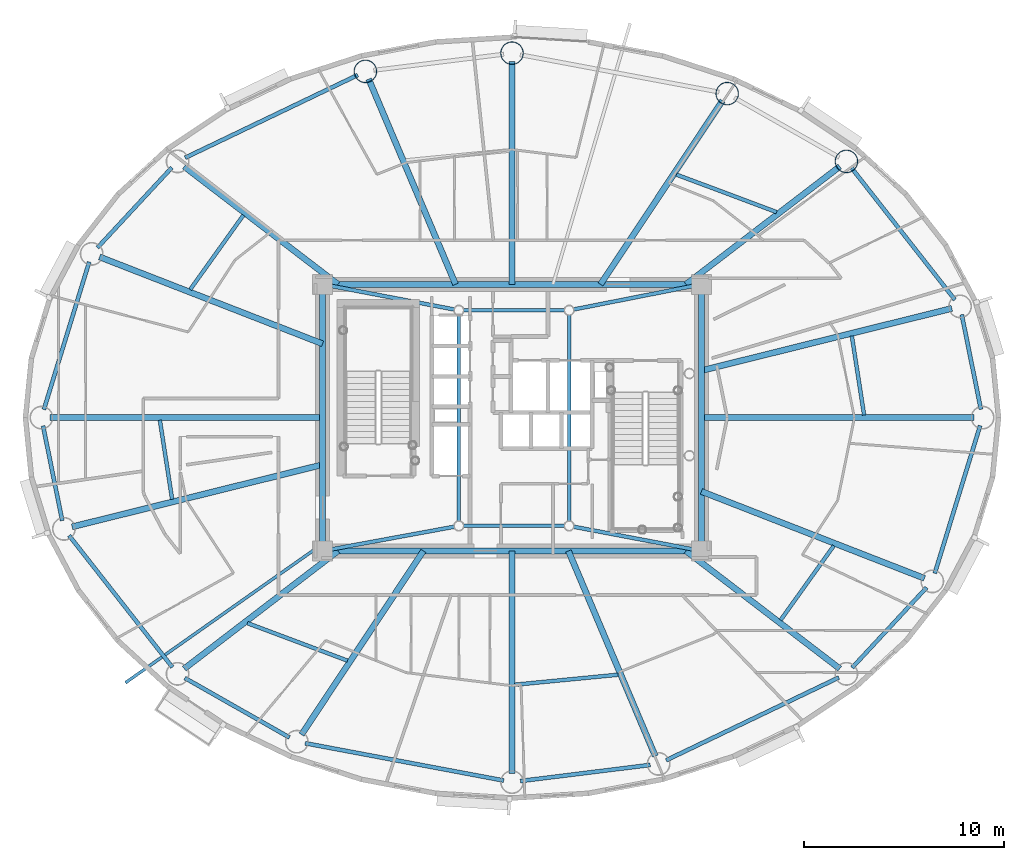
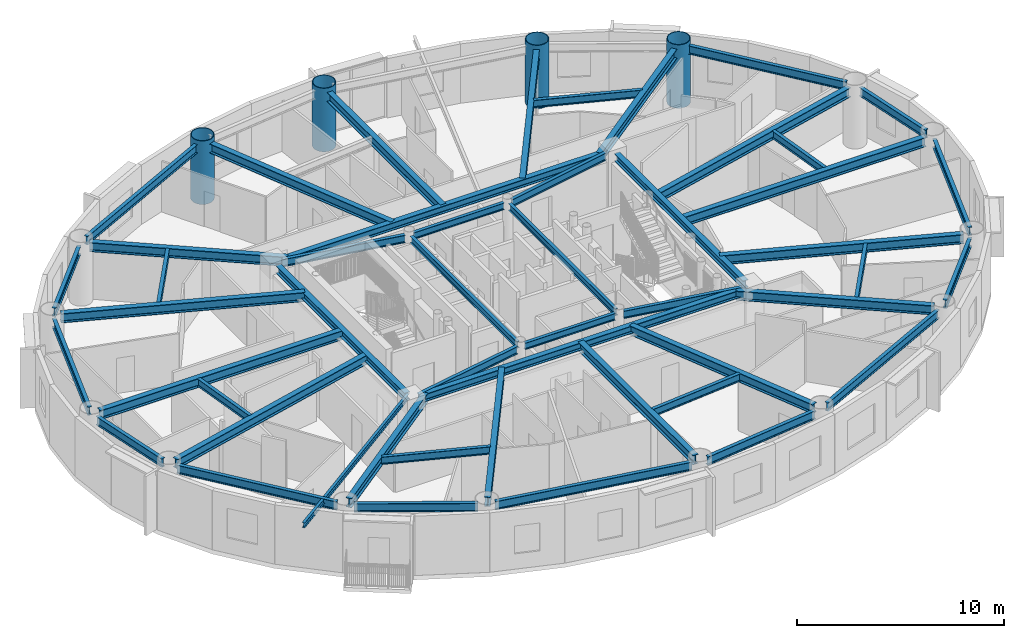
# One storey, part 3 of 19: 49 beams, 4 columns.
"""IFC4 building model written with IfcOpenShell, lengths in metres."""

from ifc_helpers import new_model, si_unit, direction, frame, origin, origin_2d, place, context, subcontext, project, spatial, hollow_circle, i_section, extrude, material, material_profile, profile_set, type_object, element, save


model = new_model("IFC4")

# Units and contexts
model_context = context("Model", 3, precision=1e-05, world=origin(), true_north=direction((0.0, 1.0)))
body_context = subcontext(model_context, "Body", "Model", "MODEL_VIEW")
ifc_project = project(units=[si_unit("LENGTHUNIT", "METRE"), si_unit("AREAUNIT", "SQUARE_METRE"), si_unit("VOLUMEUNIT", "CUBIC_METRE"), si_unit("PLANEANGLEUNIT", "RADIAN"), si_unit("MASSUNIT", "GRAM", prefix="KILO")], contexts=[model_context])

# Site, building, storey
site_placement = place(None, origin())
site = spatial("IfcSite", under=ifc_project, at=site_placement, CompositionType="ELEMENT")
building_placement = place(site_placement, origin())
building = spatial("IfcBuilding", under=site, at=building_placement, Name="Linh Dai School and Residence Tower", CompositionType="ELEMENT")
storey_placement = place(building_placement, frame((0.0, 0.0, 236.550048828125)))
storey = spatial("IfcBuildingStorey", under=building, at=storey_placement, Name="L58", CompositionType="ELEMENT", Elevation=236.550048828125)

# Columns
ifc_material = material(Name="Structural Steel S355JR", Category="steel")
ifc_material_profile_1 = material_profile(ifc_material, hollow_circle(Radius=0.574951171875, WallThickness=0.035888671875, at=origin_2d()), Name="CHS 1150x36")
ifc_profile_set_1 = profile_set([ifc_material_profile_1], Name="Structural Steel S355JR")
column_type = type_object("IfcColumnType", Name="COL-MC5", PredefinedType="COLUMN", material=ifc_profile_set_1)
for number, where, z_axis, x_axis, name in (
    (1, (52.68310546875, 39.781005859375, 0.0), (0.0, 0.0, 1.0), (1.0, 0.0, 0.0), "L58 Perimeter CFT Mega-Column MC03"),
    (2, (46.734619140625, 43.16357421875, 0.0), (0.0, 0.0, 1.0), (1.0, 0.0, 0.0), "L58 Perimeter CFT Mega-Column MC04"),
    (3, (36.0, 45.179931640625, 0.0), (0.0, 0.0, 1.0), (1.0, 0.0, 0.0), "L58 Perimeter CFT Mega-Column MC05"),
    (4, (28.68798828125, 44.2734375, 0.0), (0.0, 0.0, 1.0), (1.0, 0.0, 0.0), "L58 Perimeter CFT Mega-Column MC06"),
):
    element("IfcColumn", number, at=place(storey_placement, frame(where, z_axis=z_axis, x_axis=x_axis)), inside=storey, type_object=column_type, Name=name, PredefinedType="COLUMN", context=body_context, shape_type="SweptSolid", body=[
        extrude(hollow_circle(Radius=0.574951171875, WallThickness=0.035888671875, at=origin_2d()), origin(), (0.0, 0.0, 1.0), 3.75),
    ])

# Beams
ifc_material_profile_2 = material_profile(ifc_material, i_section(OverallWidth=0.14990234375, OverallDepth=0.300048828125, WebThickness=0.007080078125, FlangeThickness=0.0107421875, at=origin_2d()), Name="IPE 300")
ifc_profile_set_2 = profile_set([ifc_material_profile_2], Name="Structural Steel S355JR")
beam_type_1 = type_object("IfcBeamType", Name="BM-BALC-CANT", PredefinedType="BEAM", material=ifc_profile_set_2)
beam_1_placement = place(storey_placement, frame((26.550048828125, 20.698486328125, 3.349853515625), z_axis=(-0.817596484683, -0.57579161876, 0.0), x_axis=(0.57579161876, -0.817596484683, 0.0)))
element("IfcBeam", 5, at=beam_1_placement, inside=storey, type_object=beam_type_1, Name="L59 Balcony Continuous Cantilever Beam 25", PredefinedType="BEAM", context=body_context, shape_type="SweptSolid", body=[
    extrude(i_section(OverallWidth=0.14990234375, OverallDepth=0.300048828125, WebThickness=0.007080078125, FlangeThickness=0.0107421875, at=origin_2d()), origin(), (0.0, 0.0, 1.0), 12.02392578125),
])
ifc_material_profile_3 = material_profile(ifc_material, i_section(OverallWidth=0.199951171875, OverallDepth=0.5, WebThickness=0.01025390625, FlangeThickness=0.01611328125, FilletRadius=0.02099609375, at=origin_2d()), Name="IPE 500")
ifc_profile_set_3 = profile_set([ifc_material_profile_3], Name="Structural Steel S355JR")
beam_type_2 = type_object("IfcBeamType", Name="BM-RB50", PredefinedType="BEAM", material=ifc_profile_set_3)
beam_2_placement = place(storey_placement, frame((59.3916015625, 27.41162109375, 3.25), z_axis=(-0.198423200906, 0.980116438666, 0.0), x_axis=(-0.980116438666, -0.198423200906, 0.0)))
element("IfcBeam", 6, at=beam_2_placement, inside=storey, type_object=beam_type_2, Name="L58 Perimeter Elliptical Ring Beam 01", PredefinedType="BEAM", context=body_context, shape_type="SweptSolid", body=[
    extrude(i_section(OverallWidth=0.199951171875, OverallDepth=0.5, WebThickness=0.01025390625, FlangeThickness=0.01611328125, FilletRadius=0.02099609375, at=origin_2d()), origin(), (0.0, 0.0, 1.0), 4.822021484375),
])
beam_3_placement = place(storey_placement, frame((58.09228515625, 32.8798828125, 3.25), z_axis=(-0.616900268003, 0.787041332674, 0.0), x_axis=(-0.787041332674, -0.616900268003, 0.0)))
element("IfcBeam", 7, at=beam_3_placement, inside=storey, type_object=beam_type_2, Name="L58 Perimeter Elliptical Ring Beam 02", PredefinedType="BEAM", context=body_context, shape_type="SweptSolid", body=[
    extrude(i_section(OverallWidth=0.199951171875, OverallDepth=0.5, WebThickness=0.01025390625, FlangeThickness=0.01611328125, FilletRadius=0.02099609375, at=origin_2d()), origin(), (0.0, 0.0, 1.0), 8.348388671875),
])
beam_4_placement = place(storey_placement, frame((28.309326171875, 44.092041015625, 3.25), z_axis=(-0.901735920201, -0.432287323686, 0.0), x_axis=(0.432287323686, -0.901735920201, 0.0)))
element("IfcBeam", 8, at=beam_4_placement, inside=storey, type_object=beam_type_2, Name="L58 Perimeter Elliptical Ring Beam 06", PredefinedType="BEAM", context=body_context, shape_type="SweptSolid", body=[
    extrude(i_section(OverallWidth=0.199951171875, OverallDepth=0.5, WebThickness=0.01025390625, FlangeThickness=0.01611328125, FilletRadius=0.02099609375, at=origin_2d()), origin(), (0.0, 0.0, 1.0), 9.552490234375),
])
beam_5_placement = place(storey_placement, frame((19.031005859375, 39.47314453125, 3.25), z_axis=(-0.68040816846, -0.732833353699, 0.0), x_axis=(0.732833353699, -0.68040816846, 0.0)))
element("IfcBeam", 9, at=beam_5_placement, inside=storey, type_object=beam_type_2, Name="L58 Perimeter Elliptical Ring Beam 07", PredefinedType="BEAM", context=body_context, shape_type="SweptSolid", body=[
    extrude(i_section(OverallWidth=0.199951171875, OverallDepth=0.5, WebThickness=0.01025390625, FlangeThickness=0.01611328125, FilletRadius=0.02099609375, at=origin_2d()), origin(), (0.0, 0.0, 1.0), 5.453369140625),
])
beam_6_placement = place(storey_placement, frame((14.911376953125, 34.767578125, 3.25), z_axis=(-0.293660595717, -0.95590975229, 0.0), x_axis=(0.95590975229, -0.293660595717, 0.0)))
element("IfcBeam", 10, at=beam_6_placement, inside=storey, type_object=beam_type_2, Name="L58 Perimeter Elliptical Ring Beam 08", PredefinedType="BEAM", context=body_context, shape_type="SweptSolid", body=[
    extrude(i_section(OverallWidth=0.199951171875, OverallDepth=0.5, WebThickness=0.01025390625, FlangeThickness=0.01611328125, FilletRadius=0.02099609375, at=origin_2d()), origin(), (0.0, 0.0, 1.0), 7.7060546875),
])
beam_7_placement = place(storey_placement, frame((12.6083984375, 26.58837890625, 3.25), z_axis=(0.198423200906, -0.980116438666, 0.0), x_axis=(0.980116438666, 0.198423200906, 0.0)))
element("IfcBeam", 11, at=beam_7_placement, inside=storey, type_object=beam_type_2, Name="L58 Perimeter Elliptical Ring Beam 09", PredefinedType="BEAM", context=body_context, shape_type="SweptSolid", body=[
    extrude(i_section(OverallWidth=0.199951171875, OverallDepth=0.5, WebThickness=0.01025390625, FlangeThickness=0.01611328125, FilletRadius=0.02099609375, at=origin_2d()), origin(), (0.0, 0.0, 1.0), 4.822021484375),
])
beam_8_placement = place(storey_placement, frame((13.90771484375, 21.1201171875, 3.25), z_axis=(0.616900268003, -0.787041332674, 0.0), x_axis=(0.787041332674, 0.616900268003, 0.0)))
element("IfcBeam", 12, at=beam_8_placement, inside=storey, type_object=beam_type_2, Name="L58 Perimeter Elliptical Ring Beam 10", PredefinedType="BEAM", context=body_context, shape_type="SweptSolid", body=[
    extrude(i_section(OverallWidth=0.199951171875, OverallDepth=0.5, WebThickness=0.01025390625, FlangeThickness=0.01611328125, FilletRadius=0.02099609375, at=origin_2d()), origin(), (0.0, 0.0, 1.0), 8.348388671875),
])
beam_9_placement = place(storey_placement, frame((19.681884765625, 14.011474609375, 3.25), z_axis=(0.869297314463, -0.494289570058, 0.0), x_axis=(0.494289570058, 0.869297314463, 0.0)))
element("IfcBeam", 13, at=beam_9_placement, inside=storey, type_object=beam_type_2, Name="L58 Perimeter Elliptical Ring Beam 11", PredefinedType="BEAM", context=body_context, shape_type="SweptSolid", body=[
    extrude(i_section(OverallWidth=0.199951171875, OverallDepth=0.5, WebThickness=0.01025390625, FlangeThickness=0.01611328125, FilletRadius=0.02099609375, at=origin_2d()), origin(), (0.0, 0.0, 1.0), 6.003173828125),
])
beam_10_placement = place(storey_placement, frame((25.67822265625, 10.759033203125, 3.25), z_axis=(0.982806607762, -0.184637947722, 0.0), x_axis=(0.184637947722, 0.982806607762, 0.0)))
element("IfcBeam", 14, at=beam_10_placement, inside=storey, type_object=beam_type_2, Name="L58 Perimeter Elliptical Ring Beam 12", PredefinedType="BEAM", context=body_context, shape_type="SweptSolid", body=[
    extrude(i_section(OverallWidth=0.199951171875, OverallDepth=0.5, WebThickness=0.01025390625, FlangeThickness=0.01611328125, FilletRadius=0.02099609375, at=origin_2d()), origin(), (0.0, 0.0, 1.0), 10.082275390625),
])
beam_11_placement = place(storey_placement, frame((36.416748046875, 8.87158203125, 3.25), z_axis=(0.992401656104, 0.123040452539, 0.0), x_axis=(-0.123040452539, 0.992401656104, 0.0)))
element("IfcBeam", 15, at=beam_11_placement, inside=storey, type_object=beam_type_2, Name="L58 Perimeter Elliptical Ring Beam 13", PredefinedType="BEAM", context=body_context, shape_type="SweptSolid", body=[
    extrude(i_section(OverallWidth=0.199951171875, OverallDepth=0.5, WebThickness=0.01025390625, FlangeThickness=0.01611328125, FilletRadius=0.02099609375, at=origin_2d()), origin(), (0.0, 0.0, 1.0), 6.528076171875),
])
beam_12_placement = place(storey_placement, frame((43.690673828125, 9.907958984375, 3.25), z_axis=(0.901735920201, 0.432287323686, 0.0), x_axis=(-0.432287323686, 0.901735920201, 0.0)))
element("IfcBeam", 16, at=beam_12_placement, inside=storey, type_object=beam_type_2, Name="L58 Perimeter Elliptical Ring Beam 14", PredefinedType="BEAM", context=body_context, shape_type="SweptSolid", body=[
    extrude(i_section(OverallWidth=0.199951171875, OverallDepth=0.5, WebThickness=0.01025390625, FlangeThickness=0.01611328125, FilletRadius=0.02099609375, at=origin_2d()), origin(), (0.0, 0.0, 1.0), 9.552490234375),
])
beam_13_placement = place(storey_placement, frame((52.968994140625, 14.52685546875, 3.25), z_axis=(0.68040816846, 0.732833353699, 0.0), x_axis=(-0.732833353699, 0.68040816846, 0.0)))
element("IfcBeam", 17, at=beam_13_placement, inside=storey, type_object=beam_type_2, Name="L58 Perimeter Elliptical Ring Beam 15", PredefinedType="BEAM", context=body_context, shape_type="SweptSolid", body=[
    extrude(i_section(OverallWidth=0.199951171875, OverallDepth=0.5, WebThickness=0.01025390625, FlangeThickness=0.01611328125, FilletRadius=0.02099609375, at=origin_2d()), origin(), (0.0, 0.0, 1.0), 5.453369140625),
])
beam_14_placement = place(storey_placement, frame((57.088623046875, 19.232421875, 3.25), z_axis=(0.293660595717, 0.95590975229, 0.0), x_axis=(-0.95590975229, 0.293660595717, 0.0)))
element("IfcBeam", 18, at=beam_14_placement, inside=storey, type_object=beam_type_2, Name="L58 Perimeter Elliptical Ring Beam 16", PredefinedType="BEAM", context=body_context, shape_type="SweptSolid", body=[
    extrude(i_section(OverallWidth=0.199951171875, OverallDepth=0.5, WebThickness=0.01025390625, FlangeThickness=0.01611328125, FilletRadius=0.02099609375, at=origin_2d()), origin(), (0.0, 0.0, 1.0), 7.7060546875),
])
ifc_material_profile_4 = material_profile(ifc_material, i_section(OverallWidth=0.300048828125, OverallDepth=0.449951171875, WebThickness=0.013916015625, FlangeThickness=0.02587890625, FilletRadius=0.027099609375, at=origin_2d()), Name="HEB 450")
ifc_profile_set_4 = profile_set([ifc_material_profile_4], Name="Structural Steel S355JR")
beam_type_3 = type_object("IfcBeamType", Name="BM-RG45", PredefinedType="BEAM", material=ifc_profile_set_4)
beam_15_placement = place(storey_placement, frame((26.969970703125, 20.35009765625, 3.27490234375), z_axis=(1.0, 0.0, 0.0), x_axis=(0.0, 1.0, 0.0)))
element("IfcBeam", 19, at=beam_15_placement, inside=storey, type_object=beam_type_3, Name="L58 Core Perimeter Coupling Girder 1", PredefinedType="BEAM", context=body_context, shape_type="SweptSolid", body=[
    extrude(i_section(OverallWidth=0.300048828125, OverallDepth=0.449951171875, WebThickness=0.013916015625, FlangeThickness=0.02587890625, FilletRadius=0.027099609375, at=origin_2d()), origin(), (0.0, 0.0, 1.0), 18.06005859375),
])
beam_16_placement = place(storey_placement, frame((45.449951171875, 20.77001953125, 3.27490234375), z_axis=(0.0, 1.0, 0.0), x_axis=(-1.0, 0.0, 0.0)))
element("IfcBeam", 20, at=beam_16_placement, inside=storey, type_object=beam_type_3, Name="L58 Core Perimeter Coupling Girder 2", PredefinedType="BEAM", context=body_context, shape_type="SweptSolid", body=[
    extrude(i_section(OverallWidth=0.300048828125, OverallDepth=0.449951171875, WebThickness=0.013916015625, FlangeThickness=0.02587890625, FilletRadius=0.027099609375, at=origin_2d()), origin(), (0.0, 0.0, 1.0), 12.4599609375),
])
beam_17_placement = place(storey_placement, frame((45.030029296875, 33.64990234375, 3.27490234375), z_axis=(-1.0, 0.0, 0.0), x_axis=(0.0, -1.0, 0.0)))
element("IfcBeam", 21, at=beam_17_placement, inside=storey, type_object=beam_type_3, Name="L58 Core Perimeter Coupling Girder 3", PredefinedType="BEAM", context=body_context, shape_type="SweptSolid", body=[
    extrude(i_section(OverallWidth=0.300048828125, OverallDepth=0.449951171875, WebThickness=0.013916015625, FlangeThickness=0.02587890625, FilletRadius=0.027099609375, at=origin_2d()), origin(), (0.0, 0.0, 1.0), 18.06005859375),
])
beam_18_placement = place(storey_placement, frame((26.550048828125, 33.22998046875, 3.27490234375), z_axis=(0.0, -1.0, 0.0), x_axis=(1.0, 0.0, 0.0)))
element("IfcBeam", 22, at=beam_18_placement, inside=storey, type_object=beam_type_3, Name="L58 Core Perimeter Coupling Girder 4", PredefinedType="BEAM", context=body_context, shape_type="SweptSolid", body=[
    extrude(i_section(OverallWidth=0.300048828125, OverallDepth=0.449951171875, WebThickness=0.013916015625, FlangeThickness=0.02587890625, FilletRadius=0.027099609375, at=origin_2d()), origin(), (0.0, 0.0, 1.0), 12.4599609375),
])
ifc_material_profile_5 = material_profile(ifc_material, i_section(OverallWidth=0.300048828125, OverallDepth=0.550048828125, WebThickness=0.014892578125, FlangeThickness=0.029052734375, FilletRadius=0.027099609375, at=origin_2d()), Name="HEB 550")
ifc_profile_set_5 = profile_set([ifc_material_profile_5], Name="Structural Steel S355JR")
beam_type_4 = type_object("IfcBeamType", Name="BM-RG55", PredefinedType="BEAM", material=ifc_profile_set_5)
beam_19_placement = place(storey_placement, frame((45.449951171875, 27.0, 3.224853515625), z_axis=(1.0, 0.0, 0.0), x_axis=(0.0, 1.0, 0.0)))
element("IfcBeam", 23, at=beam_19_placement, inside=storey, type_object=beam_type_4, Name="L58 Primary Radial Floor Girder 01", PredefinedType="BEAM", context=body_context, shape_type="SweptSolid", body=[
    extrude(i_section(OverallWidth=0.300048828125, OverallDepth=0.550048828125, WebThickness=0.014892578125, FlangeThickness=0.029052734375, FilletRadius=0.027099609375, at=origin_2d()), origin(), (0.0, 0.0, 1.0), 13.60498046875),
])
beam_20_placement = place(storey_placement, frame((45.449951171875, 29.34619140625, 3.224853515625), z_axis=(0.970537241974, 0.240951160904, 0.0), x_axis=(-0.240951160904, 0.970537241974, 0.0)))
element("IfcBeam", 24, at=beam_20_placement, inside=storey, type_object=beam_type_4, Name="L58 Primary Radial Floor Girder 02", PredefinedType="BEAM", context=body_context, shape_type="SweptSolid", body=[
    extrude(i_section(OverallWidth=0.300048828125, OverallDepth=0.550048828125, WebThickness=0.014892578125, FlangeThickness=0.029052734375, FilletRadius=0.027099609375, at=origin_2d()), origin(), (0.0, 0.0, 1.0), 12.873291015625),
])
beam_21_placement = place(storey_placement, frame((44.680419921875, 33.64990234375, 3.224853515625), z_axis=(0.793814553483, 0.608159892363, 0.0), x_axis=(-0.608159892363, 0.793814553483, 0.0)))
element("IfcBeam", 25, at=beam_21_placement, inside=storey, type_object=beam_type_4, Name="L58 Primary Radial Floor Girder 03", PredefinedType="BEAM", context=body_context, shape_type="SweptSolid", body=[
    extrude(i_section(OverallWidth=0.300048828125, OverallDepth=0.550048828125, WebThickness=0.014892578125, FlangeThickness=0.029052734375, FilletRadius=0.027099609375, at=origin_2d()), origin(), (0.0, 0.0, 1.0), 9.661376953125),
])
beam_22_placement = place(storey_placement, frame((40.41650390625, 33.64990234375, 3.224853515625), z_axis=(0.553219177991, 0.833035738191, 0.0), x_axis=(-0.833035738191, 0.553219177991, 0.0)))
element("IfcBeam", 26, at=beam_22_placement, inside=storey, type_object=beam_type_4, Name="L58 Primary Radial Floor Girder 04", PredefinedType="BEAM", context=body_context, shape_type="SweptSolid", body=[
    extrude(i_section(OverallWidth=0.300048828125, OverallDepth=0.550048828125, WebThickness=0.014892578125, FlangeThickness=0.029052734375, FilletRadius=0.027099609375, at=origin_2d()), origin(), (0.0, 0.0, 1.0), 11.00048828125),
])
beam_23_placement = place(storey_placement, frame((36.0, 33.64990234375, 3.224853515625), z_axis=(0.0, 1.0, 0.0), x_axis=(-1.0, 0.0, 0.0)))
element("IfcBeam", 27, at=beam_23_placement, inside=storey, type_object=beam_type_4, Name="L58 Primary Radial Floor Girder 05", PredefinedType="BEAM", context=body_context, shape_type="SweptSolid", body=[
    extrude(i_section(OverallWidth=0.300048828125, OverallDepth=0.550048828125, WebThickness=0.014892578125, FlangeThickness=0.029052734375, FilletRadius=0.027099609375, at=origin_2d()), origin(), (0.0, 0.0, 1.0), 11.110107421875),
])
beam_24_placement = place(storey_placement, frame((33.18505859375, 33.64990234375, 3.224853515625), z_axis=(-0.389814803082, 0.920893272479, 0.0), x_axis=(-0.920893272479, -0.389814803082, 0.0)))
element("IfcBeam", 28, at=beam_24_placement, inside=storey, type_object=beam_type_4, Name="L58 Primary Radial Floor Girder 06", PredefinedType="BEAM", context=body_context, shape_type="SweptSolid", body=[
    extrude(i_section(OverallWidth=0.300048828125, OverallDepth=0.550048828125, WebThickness=0.014892578125, FlangeThickness=0.029052734375, FilletRadius=0.027099609375, at=origin_2d()), origin(), (0.0, 0.0, 1.0), 11.1162109375),
])
beam_25_placement = place(storey_placement, frame((27.319580078125, 33.64990234375, 3.224853515625), z_axis=(-0.793814553483, 0.608159892363, 0.0), x_axis=(-0.608159892363, -0.793814553483, 0.0)))
element("IfcBeam", 29, at=beam_25_placement, inside=storey, type_object=beam_type_4, Name="L58 Primary Radial Floor Girder 07", PredefinedType="BEAM", context=body_context, shape_type="SweptSolid", body=[
    extrude(i_section(OverallWidth=0.300048828125, OverallDepth=0.550048828125, WebThickness=0.014892578125, FlangeThickness=0.029052734375, FilletRadius=0.027099609375, at=origin_2d()), origin(), (0.0, 0.0, 1.0), 9.661376953125),
])
beam_26_placement = place(storey_placement, frame((26.550048828125, 30.68212890625, 3.224853515625), z_axis=(-0.931764994123, 0.363061972295, 0.0), x_axis=(-0.363061972295, -0.931764994123, 0.0)))
element("IfcBeam", 30, at=beam_26_placement, inside=storey, type_object=beam_type_4, Name="L58 Primary Radial Floor Girder 08", PredefinedType="BEAM", context=body_context, shape_type="SweptSolid", body=[
    extrude(i_section(OverallWidth=0.300048828125, OverallDepth=0.550048828125, WebThickness=0.014892578125, FlangeThickness=0.029052734375, FilletRadius=0.027099609375, at=origin_2d()), origin(), (0.0, 0.0, 1.0), 11.938720703125),
])
beam_27_placement = place(storey_placement, frame((26.550048828125, 27.0, 3.224853515625), z_axis=(-1.0, 0.0, 0.0), x_axis=(0.0, -1.0, 0.0)))
element("IfcBeam", 31, at=beam_27_placement, inside=storey, type_object=beam_type_4, Name="L58 Primary Radial Floor Girder 09", PredefinedType="BEAM", context=body_context, shape_type="SweptSolid", body=[
    extrude(i_section(OverallWidth=0.300048828125, OverallDepth=0.550048828125, WebThickness=0.014892578125, FlangeThickness=0.029052734375, FilletRadius=0.027099609375, at=origin_2d()), origin(), (0.0, 0.0, 1.0), 13.60498046875),
])
beam_28_placement = place(storey_placement, frame((26.550048828125, 24.65380859375, 3.224853515625), z_axis=(-0.970537241974, -0.240951160904, 0.0), x_axis=(0.240951160904, -0.970537241974, 0.0)))
element("IfcBeam", 32, at=beam_28_placement, inside=storey, type_object=beam_type_4, Name="L58 Primary Radial Floor Girder 10", PredefinedType="BEAM", context=body_context, shape_type="SweptSolid", body=[
    extrude(i_section(OverallWidth=0.300048828125, OverallDepth=0.550048828125, WebThickness=0.014892578125, FlangeThickness=0.029052734375, FilletRadius=0.027099609375, at=origin_2d()), origin(), (0.0, 0.0, 1.0), 12.873291015625),
])
beam_29_placement = place(storey_placement, frame((27.319580078125, 20.35009765625, 3.224853515625), z_axis=(-0.793814553483, -0.608159892363, 0.0), x_axis=(0.608159892363, -0.793814553483, 0.0)))
element("IfcBeam", 33, at=beam_29_placement, inside=storey, type_object=beam_type_4, Name="L58 Primary Radial Floor Girder 11", PredefinedType="BEAM", context=body_context, shape_type="SweptSolid", body=[
    extrude(i_section(OverallWidth=0.300048828125, OverallDepth=0.550048828125, WebThickness=0.014892578125, FlangeThickness=0.029052734375, FilletRadius=0.027099609375, at=origin_2d()), origin(), (0.0, 0.0, 1.0), 9.661376953125),
])
beam_30_placement = place(storey_placement, frame((31.58349609375, 20.35009765625, 3.224853515625), z_axis=(-0.553219177991, -0.833035738191, 0.0), x_axis=(0.833035738191, -0.553219177991, 0.0)))
element("IfcBeam", 34, at=beam_30_placement, inside=storey, type_object=beam_type_4, Name="L58 Primary Radial Floor Girder 12", PredefinedType="BEAM", context=body_context, shape_type="SweptSolid", body=[
    extrude(i_section(OverallWidth=0.300048828125, OverallDepth=0.550048828125, WebThickness=0.014892578125, FlangeThickness=0.029052734375, FilletRadius=0.027099609375, at=origin_2d()), origin(), (0.0, 0.0, 1.0), 11.00048828125),
])
beam_31_placement = place(storey_placement, frame((36.0, 20.35009765625, 3.224853515625), z_axis=(0.0, -1.0, 0.0), x_axis=(1.0, 0.0, 0.0)))
element("IfcBeam", 35, at=beam_31_placement, inside=storey, type_object=beam_type_4, Name="L58 Primary Radial Floor Girder 13", PredefinedType="BEAM", context=body_context, shape_type="SweptSolid", body=[
    extrude(i_section(OverallWidth=0.300048828125, OverallDepth=0.550048828125, WebThickness=0.014892578125, FlangeThickness=0.029052734375, FilletRadius=0.027099609375, at=origin_2d()), origin(), (0.0, 0.0, 1.0), 11.110107421875),
])
beam_32_placement = place(storey_placement, frame((38.81494140625, 20.35009765625, 3.224853515625), z_axis=(0.389814803082, -0.920893272479, 0.0), x_axis=(0.920893272479, 0.389814803082, 0.0)))
element("IfcBeam", 36, at=beam_32_placement, inside=storey, type_object=beam_type_4, Name="L58 Primary Radial Floor Girder 14", PredefinedType="BEAM", context=body_context, shape_type="SweptSolid", body=[
    extrude(i_section(OverallWidth=0.300048828125, OverallDepth=0.550048828125, WebThickness=0.014892578125, FlangeThickness=0.029052734375, FilletRadius=0.027099609375, at=origin_2d()), origin(), (0.0, 0.0, 1.0), 11.1162109375),
])
beam_33_placement = place(storey_placement, frame((44.680419921875, 20.35009765625, 3.224853515625), z_axis=(0.793814553483, -0.608159892363, 0.0), x_axis=(0.608159892363, 0.793814553483, 0.0)))
element("IfcBeam", 37, at=beam_33_placement, inside=storey, type_object=beam_type_4, Name="L58 Primary Radial Floor Girder 15", PredefinedType="BEAM", context=body_context, shape_type="SweptSolid", body=[
    extrude(i_section(OverallWidth=0.300048828125, OverallDepth=0.550048828125, WebThickness=0.014892578125, FlangeThickness=0.029052734375, FilletRadius=0.027099609375, at=origin_2d()), origin(), (0.0, 0.0, 1.0), 9.661376953125),
])
beam_34_placement = place(storey_placement, frame((45.449951171875, 23.31787109375, 3.224853515625), z_axis=(0.931764994123, -0.363061972295, 0.0), x_axis=(0.363061972295, 0.931764994123, 0.0)))
element("IfcBeam", 38, at=beam_34_placement, inside=storey, type_object=beam_type_4, Name="L58 Primary Radial Floor Girder 16", PredefinedType="BEAM", context=body_context, shape_type="SweptSolid", body=[
    extrude(i_section(OverallWidth=0.300048828125, OverallDepth=0.550048828125, WebThickness=0.014892578125, FlangeThickness=0.029052734375, FilletRadius=0.027099609375, at=origin_2d()), origin(), (0.0, 0.0, 1.0), 11.938720703125),
])
ifc_material_profile_6 = material_profile(ifc_material, i_section(OverallWidth=0.179931640625, OverallDepth=0.39990234375, WebThickness=0.008544921875, FlangeThickness=0.013427734375, FilletRadius=0.02099609375, at=origin_2d()), Name="IPE 400")
ifc_profile_set_6 = profile_set([ifc_material_profile_6], Name="Structural Steel S355JR")
beam_type_5 = type_object("IfcBeamType", Name="BM-SB40", PredefinedType="BEAM", material=ifc_profile_set_6)
beam_35_placement = place(storey_placement, frame((33.573974609375, 21.60009765625, 3.300048828125), z_axis=(1.0, 0.0, 0.0), x_axis=(0.0, 1.0, 0.0)))
element("IfcBeam", 39, at=beam_35_placement, inside=storey, type_object=beam_type_5, Name="L58 Core Mast Pier Tie Beam 1", PredefinedType="BEAM", context=body_context, shape_type="SweptSolid", body=[
    extrude(i_section(OverallWidth=0.179931640625, OverallDepth=0.39990234375, WebThickness=0.008544921875, FlangeThickness=0.013427734375, FilletRadius=0.02099609375, at=origin_2d()), origin(), (0.0, 0.0, 1.0), 5.052001953125),
])
beam_36_placement = place(storey_placement, frame((38.85009765625, 21.823974609375, 3.300048828125), z_axis=(0.0, 1.0, 0.0), x_axis=(-1.0, 0.0, 0.0)))
element("IfcBeam", 40, at=beam_36_placement, inside=storey, type_object=beam_type_5, Name="L58 Core Mast Pier Tie Beam 2", PredefinedType="BEAM", context=body_context, shape_type="SweptSolid", body=[
    extrude(i_section(OverallWidth=0.179931640625, OverallDepth=0.39990234375, WebThickness=0.008544921875, FlangeThickness=0.013427734375, FilletRadius=0.02099609375, at=origin_2d()), origin(), (0.0, 0.0, 1.0), 10.302001953125),
])
beam_37_placement = place(storey_placement, frame((38.6259765625, 32.35009765625, 3.300048828125), z_axis=(-1.0, 0.0, 0.0), x_axis=(0.0, -1.0, 0.0)))
element("IfcBeam", 41, at=beam_37_placement, inside=storey, type_object=beam_type_5, Name="L58 Core Mast Pier Tie Beam 3", PredefinedType="BEAM", context=body_context, shape_type="SweptSolid", body=[
    extrude(i_section(OverallWidth=0.179931640625, OverallDepth=0.39990234375, WebThickness=0.008544921875, FlangeThickness=0.013427734375, FilletRadius=0.02099609375, at=origin_2d()), origin(), (0.0, 0.0, 1.0), 5.052001953125),
])
beam_38_placement = place(storey_placement, frame((33.35009765625, 32.1259765625, 3.300048828125), z_axis=(0.0, -1.0, 0.0), x_axis=(1.0, 0.0, 0.0)))
element("IfcBeam", 42, at=beam_38_placement, inside=storey, type_object=beam_type_5, Name="L58 Core Mast Pier Tie Beam 4", PredefinedType="BEAM", context=body_context, shape_type="SweptSolid", body=[
    extrude(i_section(OverallWidth=0.179931640625, OverallDepth=0.39990234375, WebThickness=0.008544921875, FlangeThickness=0.013427734375, FilletRadius=0.02099609375, at=origin_2d()), origin(), (0.0, 0.0, 1.0), 10.302001953125),
])
ifc_material_profile_7 = material_profile(ifc_material, i_section(OverallWidth=0.18994140625, OverallDepth=0.449951171875, WebThickness=0.009521484375, FlangeThickness=0.0146484375, FilletRadius=0.02099609375, at=origin_2d()), Name="IPE 450")
ifc_profile_set_7 = profile_set([ifc_material_profile_7], Name="Structural Steel S355JR")
beam_type_6 = type_object("IfcBeamType", Name="BM-SB45", PredefinedType="BEAM", material=ifc_profile_set_7)
beam_39_placement = place(storey_placement, frame((26.963134765625, 20.426025390625, 3.27490234375), z_axis=(0.983521034508, 0.180793735182, 0.0), x_axis=(-0.180793735182, 0.983521034508, 0.0)))
element("IfcBeam", 43, at=beam_39_placement, inside=storey, type_object=beam_type_6, Name="L58 Core Corner-to-Mast Pier Beam 1", PredefinedType="BEAM", context=body_context, shape_type="SweptSolid", body=[
    extrude(i_section(OverallWidth=0.18994140625, OverallDepth=0.449951171875, WebThickness=0.009521484375, FlangeThickness=0.0146484375, FilletRadius=0.02099609375, at=origin_2d()), origin(), (0.0, 0.0, 1.0), 6.269775390625),
])
beam_40_placement = place(storey_placement, frame((45.037353515625, 20.42822265625, 3.27490234375), z_axis=(-0.982534706692, 0.186079418921, 0.0), x_axis=(-0.186079418921, -0.982534706692, 0.0)))
element("IfcBeam", 44, at=beam_40_placement, inside=storey, type_object=beam_type_6, Name="L58 Core Corner-to-Mast Pier Beam 2", PredefinedType="BEAM", context=body_context, shape_type="SweptSolid", body=[
    extrude(i_section(OverallWidth=0.18994140625, OverallDepth=0.449951171875, WebThickness=0.009521484375, FlangeThickness=0.0146484375, FilletRadius=0.02099609375, at=origin_2d()), origin(), (0.0, 0.0, 1.0), 6.0732421875),
])
beam_41_placement = place(storey_placement, frame((45.037841796875, 33.56884765625, 3.27490234375), z_axis=(-0.981147696489, -0.193259405138, 0.0), x_axis=(0.193259405138, -0.981147696489, 0.0)))
element("IfcBeam", 45, at=beam_41_placement, inside=storey, type_object=beam_type_6, Name="L58 Core Corner-to-Mast Pier Beam 3", PredefinedType="BEAM", context=body_context, shape_type="SweptSolid", body=[
    extrude(i_section(OverallWidth=0.18994140625, OverallDepth=0.449951171875, WebThickness=0.009521484375, FlangeThickness=0.0146484375, FilletRadius=0.02099609375, at=origin_2d()), origin(), (0.0, 0.0, 1.0), 6.082763671875),
])
beam_42_placement = place(storey_placement, frame((26.962646484375, 33.571044921875, 3.27490234375), z_axis=(0.982214129725, -0.187764222812, 0.0), x_axis=(0.187764222812, 0.982214129725, 0.0)))
element("IfcBeam", 46, at=beam_42_placement, inside=storey, type_object=beam_type_6, Name="L58 Core Corner-to-Mast Pier Beam 4", PredefinedType="BEAM", context=body_context, shape_type="SweptSolid", body=[
    extrude(i_section(OverallWidth=0.18994140625, OverallDepth=0.449951171875, WebThickness=0.009521484375, FlangeThickness=0.0146484375, FilletRadius=0.02099609375, at=origin_2d()), origin(), (0.0, 0.0, 1.0), 6.27880859375),
])
beam_43_placement = place(storey_placement, frame((53.564697265625, 27.12841796875, 3.27490234375), z_axis=(-0.153237508203, 0.988189387759, 0.0), x_axis=(-0.988189387759, -0.153237508203, 0.0)))
element("IfcBeam", 47, at=beam_43_placement, inside=storey, type_object=beam_type_6, Name="L58 Secondary Circumferential Floor Beam 01", PredefinedType="BEAM", context=body_context, shape_type="SweptSolid", body=[
    extrude(i_section(OverallWidth=0.18994140625, OverallDepth=0.449951171875, WebThickness=0.009521484375, FlangeThickness=0.0146484375, FilletRadius=0.02099609375, at=origin_2d()), origin(), (0.0, 0.0, 1.0), 3.994140625),
])
beam_44_placement = place(storey_placement, frame((49.2001953125, 37.25146484375, 3.27490234375), z_axis=(-0.936528326754, 0.350591918315, 0.0), x_axis=(-0.350591918315, -0.936528326754, 0.0)))
element("IfcBeam", 48, at=beam_44_placement, inside=storey, type_object=beam_type_6, Name="L58 Secondary Circumferential Floor Beam 02", PredefinedType="BEAM", context=body_context, shape_type="SweptSolid", body=[
    extrude(i_section(OverallWidth=0.18994140625, OverallDepth=0.449951171875, WebThickness=0.009521484375, FlangeThickness=0.0146484375, FilletRadius=0.02099609375, at=origin_2d()), origin(), (0.0, 0.0, 1.0), 5.336181640625),
])
beam_45_placement = place(storey_placement, frame((22.602294921875, 37.100341796875, 3.27490234375), z_axis=(-0.582017423054, -0.813176314991, 0.0), x_axis=(0.813176314991, -0.582017423054, 0.0)))
element("IfcBeam", 49, at=beam_45_placement, inside=storey, type_object=beam_type_6, Name="L58 Secondary Circumferential Floor Beam 04", PredefinedType="BEAM", context=body_context, shape_type="SweptSolid", body=[
    extrude(i_section(OverallWidth=0.18994140625, OverallDepth=0.449951171875, WebThickness=0.009521484375, FlangeThickness=0.0146484375, FilletRadius=0.02099609375, at=origin_2d()), origin(), (0.0, 0.0, 1.0), 4.5625),
])
beam_46_placement = place(storey_placement, frame((18.435302734375, 26.87158203125, 3.27490234375), z_axis=(0.153237508203, -0.988189387759, 0.0), x_axis=(0.988189387759, 0.153237508203, 0.0)))
element("IfcBeam", 50, at=beam_46_placement, inside=storey, type_object=beam_type_6, Name="L58 Secondary Circumferential Floor Beam 05", PredefinedType="BEAM", context=body_context, shape_type="SweptSolid", body=[
    extrude(i_section(OverallWidth=0.18994140625, OverallDepth=0.449951171875, WebThickness=0.009521484375, FlangeThickness=0.0146484375, FilletRadius=0.02099609375, at=origin_2d()), origin(), (0.0, 0.0, 1.0), 3.994140625),
])
beam_47_placement = place(storey_placement, frame((22.7998046875, 16.74853515625, 3.27490234375), z_axis=(0.936528326754, -0.350591918315, 0.0), x_axis=(0.350591918315, 0.936528326754, 0.0)))
element("IfcBeam", 51, at=beam_47_placement, inside=storey, type_object=beam_type_6, Name="L58 Secondary Circumferential Floor Beam 06", PredefinedType="BEAM", context=body_context, shape_type="SweptSolid", body=[
    extrude(i_section(OverallWidth=0.18994140625, OverallDepth=0.449951171875, WebThickness=0.009521484375, FlangeThickness=0.0146484375, FilletRadius=0.02099609375, at=origin_2d()), origin(), (0.0, 0.0, 1.0), 5.336181640625),
])
beam_48_placement = place(storey_placement, frame((36.12939453125, 13.675048828125, 3.27490234375), z_axis=(0.995332680487, 0.096503135467, 0.0), x_axis=(-0.096503135467, 0.995332680487, 0.0)))
element("IfcBeam", 52, at=beam_48_placement, inside=storey, type_object=beam_type_6, Name="L58 Secondary Circumferential Floor Beam 07", PredefinedType="BEAM", context=body_context, shape_type="SweptSolid", body=[
    extrude(i_section(OverallWidth=0.18994140625, OverallDepth=0.449951171875, WebThickness=0.009521484375, FlangeThickness=0.0146484375, FilletRadius=0.02099609375, at=origin_2d()), origin(), (0.0, 0.0, 1.0), 5.188720703125),
])
beam_49_placement = place(storey_placement, frame((49.397705078125, 16.899658203125, 3.27490234375), z_axis=(0.582017423054, 0.813176314991, 0.0), x_axis=(-0.813176314991, 0.582017423054, 0.0)))
element("IfcBeam", 53, at=beam_49_placement, inside=storey, type_object=beam_type_6, Name="L58 Secondary Circumferential Floor Beam 08", PredefinedType="BEAM", context=body_context, shape_type="SweptSolid", body=[
    extrude(i_section(OverallWidth=0.18994140625, OverallDepth=0.449951171875, WebThickness=0.009521484375, FlangeThickness=0.0146484375, FilletRadius=0.02099609375, at=origin_2d()), origin(), (0.0, 0.0, 1.0), 4.5625),
])

save(model, "model.ifc")
